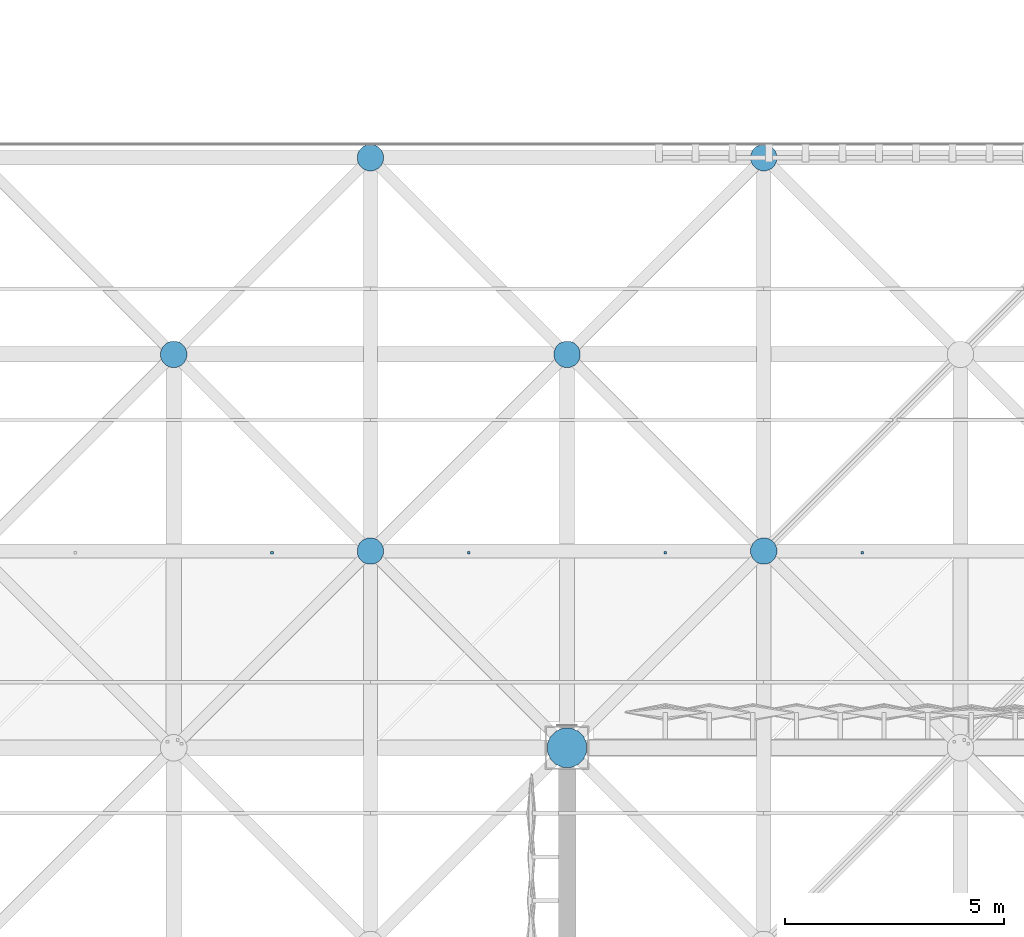
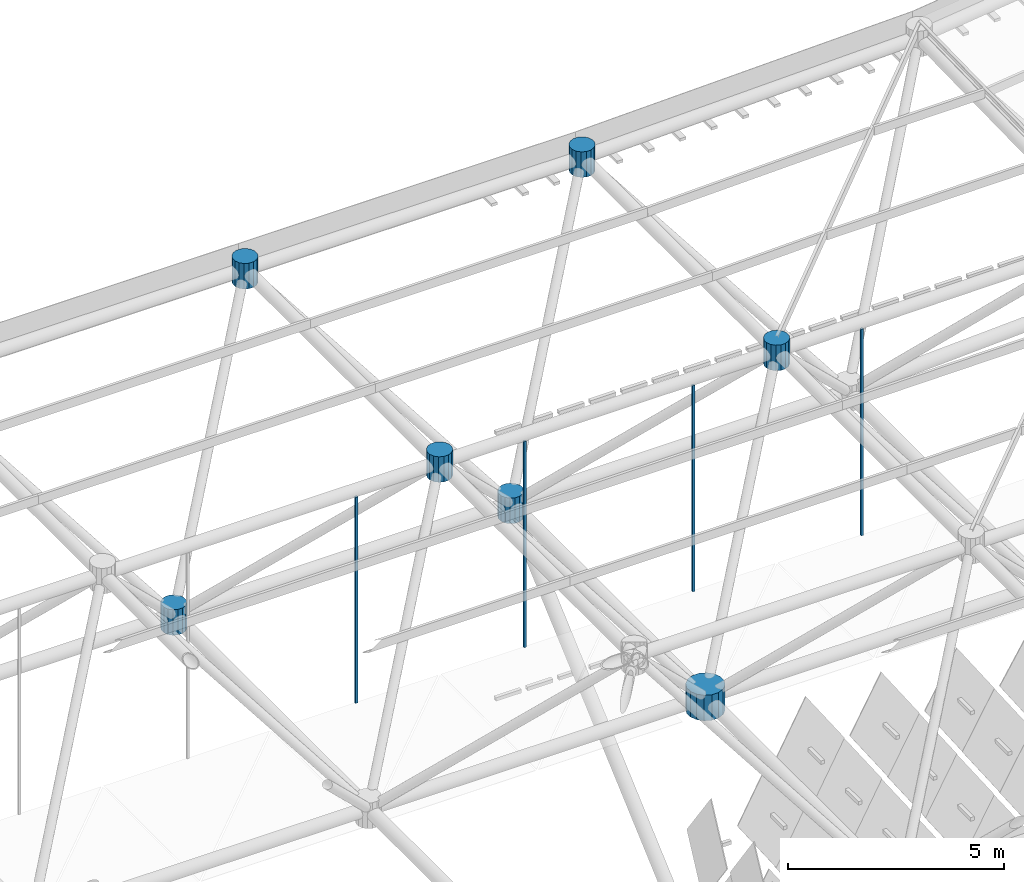
# One storey, part 329 of 437: 11 discrete accessories.
"""IFC4 building model written with IfcOpenShell, lengths in metres."""

from ifc_helpers import new_model, si_unit, direction, frame, origin, place, context, subcontext, project, spatial, polyline, outline, extrude, material, type_object, element, save


model = new_model("IFC4")

# Units and contexts
model_context = context("Model", 3, precision=1e-05, world=origin(), true_north=direction((0.0, 1.0)))
body_context = subcontext(model_context, "Body", "Model", "MODEL_VIEW")
ifc_project = project(units=[si_unit("LENGTHUNIT", "METRE"), si_unit("AREAUNIT", "SQUARE_METRE"), si_unit("VOLUMEUNIT", "CUBIC_METRE"), si_unit("PLANEANGLEUNIT", "RADIAN"), si_unit("MASSUNIT", "GRAM", prefix="KILO")], contexts=[model_context])

# Site, building, storey
site_placement = place(None, origin())
site = spatial("IfcSite", under=ifc_project, at=site_placement, CompositionType="ELEMENT")
building_placement = place(site_placement, origin())
building = spatial("IfcBuilding", under=site, at=building_placement, Name="Opaline Strait Convention Centre", CompositionType="ELEMENT")
storey_placement = place(building_placement, frame((0.0, 0.0, 11.5)))
storey = spatial("IfcBuildingStorey", under=building, at=storey_placement, Name="L02", CompositionType="ELEMENT", Elevation=11.5)

# Discrete accessories
ifc_material_1 = material(Name="Steel Q355B", Category="steel")
discrete_accessory_type_1 = type_object("IfcDiscreteAccessoryType", Name="Soffit hanger 60x60 steel", PredefinedType="BRACKET", material=ifc_material_1)
discrete_accessory_1_placement = place(storey_placement, frame((0.0, 0.0, 11.989990234375)))
element("IfcDiscreteAccessory", 1, at=discrete_accessory_1_placement, inside=storey, type_object=discrete_accessory_type_1, Name="Soffit hanger", PredefinedType="BRACKET", context=body_context, shape_type="SweptSolid", body=[
    extrude(outline(polyline([(200.219970703125, 157.43505859375), (200.280029296875, 157.43505859375), (200.280029296875, 157.4951171875), (200.219970703125, 157.4951171875), (200.219970703125, 157.43505859375)])), origin(), (0.0, 0.0, 1.0), 5.819091796875),
])
discrete_accessory_2_placement = place(storey_placement, frame((0.0, 0.0, 11.989990234375)))
element("IfcDiscreteAccessory", 2, at=discrete_accessory_2_placement, inside=storey, type_object=discrete_accessory_type_1, Name="Soffit hanger", PredefinedType="BRACKET", context=body_context, shape_type="SweptSolid", body=[
    extrude(outline(polyline([(204.719970703125, 157.43505859375), (204.780029296875, 157.43505859375), (204.780029296875, 157.4951171875), (204.719970703125, 157.4951171875), (204.719970703125, 157.43505859375)])), origin(), (0.0, 0.0, 1.0), 5.819091796875),
])
discrete_accessory_3_placement = place(storey_placement, frame((0.0, 0.0, 11.9912109375)))
element("IfcDiscreteAccessory", 3, at=discrete_accessory_3_placement, inside=storey, type_object=discrete_accessory_type_1, Name="Soffit hanger", PredefinedType="BRACKET", context=body_context, shape_type="SweptSolid", body=[
    extrude(outline(polyline([(209.219970703125, 157.43505859375), (209.280029296875, 157.43505859375), (209.280029296875, 157.4951171875), (209.219970703125, 157.4951171875), (209.219970703125, 157.43505859375)])), origin(), (0.0, 0.0, 1.0), 5.81787109375),
])
discrete_accessory_4_placement = place(storey_placement, frame((0.0, 0.0, 11.993408203125)))
element("IfcDiscreteAccessory", 4, at=discrete_accessory_4_placement, inside=storey, type_object=discrete_accessory_type_1, Name="Soffit hanger", PredefinedType="BRACKET", context=body_context, shape_type="SweptSolid", body=[
    extrude(outline(polyline([(213.719970703125, 157.43505859375), (213.780029296875, 157.43505859375), (213.780029296875, 157.4951171875), (213.719970703125, 157.4951171875), (213.719970703125, 157.43505859375)])), origin(), (0.0, 0.0, 1.0), 5.83203125),
])
ifc_material_2 = material(Name="Cast steel ZG300-500H (300 MPa)", Category="steel")
discrete_accessory_type_2 = type_object("IfcDiscreteAccessoryType", Name="Space frame bearing node hub D900", PredefinedType="USERDEFINED", material=ifc_material_2)
discrete_accessory_5_placement = place(storey_placement, frame((0.0, 0.0, 12.139892578125)))
element("IfcDiscreteAccessory", 5, at=discrete_accessory_5_placement, inside=storey, type_object=discrete_accessory_type_2, Name="Bottom node 14/13", ObjectType="NODE HUB", PredefinedType="USERDEFINED", context=body_context, shape_type="SweptSolid", body=[
    extrude(outline(polyline([(207.449951171875, 153.089599609375), (207.381591796875, 153.2548828125), (207.2548828125, 153.381591796875), (207.089599609375, 153.449951171875), (206.910400390625, 153.449951171875), (206.7451171875, 153.381591796875), (206.618408203125, 153.2548828125), (206.550048828125, 153.089599609375), (206.550048828125, 152.910400390625), (206.618408203125, 152.7451171875), (206.7451171875, 152.618408203125), (206.910400390625, 152.550048828125), (207.089599609375, 152.550048828125), (207.2548828125, 152.618408203125), (207.381591796875, 152.7451171875), (207.449951171875, 152.910400390625), (207.449951171875, 153.089599609375)])), origin(), (0.0, 0.0, 1.0), 0.72021484375),
])
discrete_accessory_type_3 = type_object("IfcDiscreteAccessoryType", Name="Space frame node hub D600", PredefinedType="USERDEFINED", material=ifc_material_2)
discrete_accessory_6_placement = place(storey_placement, frame((0.0, 0.0, 17.611572265625)))
element("IfcDiscreteAccessory", 6, at=discrete_accessory_6_placement, inside=storey, type_object=discrete_accessory_type_3, Name="Top node 14/14", ObjectType="NODE HUB", PredefinedType="USERDEFINED", context=body_context, shape_type="SweptSolid", body=[
    extrude(outline(polyline([(202.800048828125, 157.559814453125), (202.75439453125, 157.669921875), (202.669921875, 157.75439453125), (202.559814453125, 157.800048828125), (202.440185546875, 157.800048828125), (202.330078125, 157.75439453125), (202.24560546875, 157.669921875), (202.199951171875, 157.559814453125), (202.199951171875, 157.440185546875), (202.24560546875, 157.330078125), (202.330078125, 157.24560546875), (202.440185546875, 157.199951171875), (202.559814453125, 157.199951171875), (202.669921875, 157.24560546875), (202.75439453125, 157.330078125), (202.800048828125, 157.440185546875), (202.800048828125, 157.559814453125)])), origin(), (0.0, 0.0, 1.0), 0.719970703125),
])
discrete_accessory_7_placement = place(storey_placement, frame((0.0, 0.0, 17.611572265625)))
element("IfcDiscreteAccessory", 7, at=discrete_accessory_7_placement, inside=storey, type_object=discrete_accessory_type_3, Name="Top node 14/15", ObjectType="NODE HUB", PredefinedType="USERDEFINED", context=body_context, shape_type="SweptSolid", body=[
    extrude(outline(polyline([(202.800048828125, 166.559814453125), (202.75439453125, 166.669921875), (202.669921875, 166.75439453125), (202.559814453125, 166.800048828125), (202.440185546875, 166.800048828125), (202.330078125, 166.75439453125), (202.24560546875, 166.669921875), (202.199951171875, 166.559814453125), (202.199951171875, 166.440185546875), (202.24560546875, 166.330078125), (202.330078125, 166.24560546875), (202.440185546875, 166.199951171875), (202.559814453125, 166.199951171875), (202.669921875, 166.24560546875), (202.75439453125, 166.330078125), (202.800048828125, 166.440185546875), (202.800048828125, 166.559814453125)])), origin(), (0.0, 0.0, 1.0), 0.719970703125),
])
discrete_accessory_8_placement = place(storey_placement, frame((0.0, 0.0, 17.611572265625)))
element("IfcDiscreteAccessory", 8, at=discrete_accessory_8_placement, inside=storey, type_object=discrete_accessory_type_3, Name="Top node 15/14", ObjectType="NODE HUB", PredefinedType="USERDEFINED", context=body_context, shape_type="SweptSolid", body=[
    extrude(outline(polyline([(211.800048828125, 157.559814453125), (211.75439453125, 157.669921875), (211.669921875, 157.75439453125), (211.559814453125, 157.800048828125), (211.440185546875, 157.800048828125), (211.330078125, 157.75439453125), (211.24560546875, 157.669921875), (211.199951171875, 157.559814453125), (211.199951171875, 157.440185546875), (211.24560546875, 157.330078125), (211.330078125, 157.24560546875), (211.440185546875, 157.199951171875), (211.559814453125, 157.199951171875), (211.669921875, 157.24560546875), (211.75439453125, 157.330078125), (211.800048828125, 157.440185546875), (211.800048828125, 157.559814453125)])), origin(), (0.0, 0.0, 1.0), 0.719970703125),
])
discrete_accessory_9_placement = place(storey_placement, frame((0.0, 0.0, 17.611572265625)))
element("IfcDiscreteAccessory", 9, at=discrete_accessory_9_placement, inside=storey, type_object=discrete_accessory_type_3, Name="Top node 15/15", ObjectType="NODE HUB", PredefinedType="USERDEFINED", context=body_context, shape_type="SweptSolid", body=[
    extrude(outline(polyline([(211.800048828125, 166.559814453125), (211.75439453125, 166.669921875), (211.669921875, 166.75439453125), (211.559814453125, 166.800048828125), (211.440185546875, 166.800048828125), (211.330078125, 166.75439453125), (211.24560546875, 166.669921875), (211.199951171875, 166.559814453125), (211.199951171875, 166.440185546875), (211.24560546875, 166.330078125), (211.330078125, 166.24560546875), (211.440185546875, 166.199951171875), (211.559814453125, 166.199951171875), (211.669921875, 166.24560546875), (211.75439453125, 166.330078125), (211.800048828125, 166.440185546875), (211.800048828125, 166.559814453125)])), origin(), (0.0, 0.0, 1.0), 0.719970703125),
])
discrete_accessory_10_placement = place(storey_placement, frame((0.0, 0.0, 12.139892578125)))
element("IfcDiscreteAccessory", 10, at=discrete_accessory_10_placement, inside=storey, type_object=discrete_accessory_type_3, Name="Bottom node 13/14", ObjectType="NODE HUB", PredefinedType="USERDEFINED", context=body_context, shape_type="SweptSolid", body=[
    extrude(outline(polyline([(198.300048828125, 162.059814453125), (198.25439453125, 162.169921875), (198.169921875, 162.25439453125), (198.059814453125, 162.300048828125), (197.940185546875, 162.300048828125), (197.830078125, 162.25439453125), (197.74560546875, 162.169921875), (197.699951171875, 162.059814453125), (197.699951171875, 161.940185546875), (197.74560546875, 161.830078125), (197.830078125, 161.74560546875), (197.940185546875, 161.699951171875), (198.059814453125, 161.699951171875), (198.169921875, 161.74560546875), (198.25439453125, 161.830078125), (198.300048828125, 161.940185546875), (198.300048828125, 162.059814453125)])), origin(), (0.0, 0.0, 1.0), 0.72021484375),
])
discrete_accessory_11_placement = place(storey_placement, frame((0.0, 0.0, 12.139892578125)))
element("IfcDiscreteAccessory", 11, at=discrete_accessory_11_placement, inside=storey, type_object=discrete_accessory_type_3, Name="Bottom node 14/14", ObjectType="NODE HUB", PredefinedType="USERDEFINED", context=body_context, shape_type="SweptSolid", body=[
    extrude(outline(polyline([(207.300048828125, 162.059814453125), (207.25439453125, 162.169921875), (207.169921875, 162.25439453125), (207.059814453125, 162.300048828125), (206.940185546875, 162.300048828125), (206.830078125, 162.25439453125), (206.74560546875, 162.169921875), (206.699951171875, 162.059814453125), (206.699951171875, 161.940185546875), (206.74560546875, 161.830078125), (206.830078125, 161.74560546875), (206.940185546875, 161.699951171875), (207.059814453125, 161.699951171875), (207.169921875, 161.74560546875), (207.25439453125, 161.830078125), (207.300048828125, 161.940185546875), (207.300048828125, 162.059814453125)])), origin(), (0.0, 0.0, 1.0), 0.72021484375),
])

save(model, "model.ifc")
